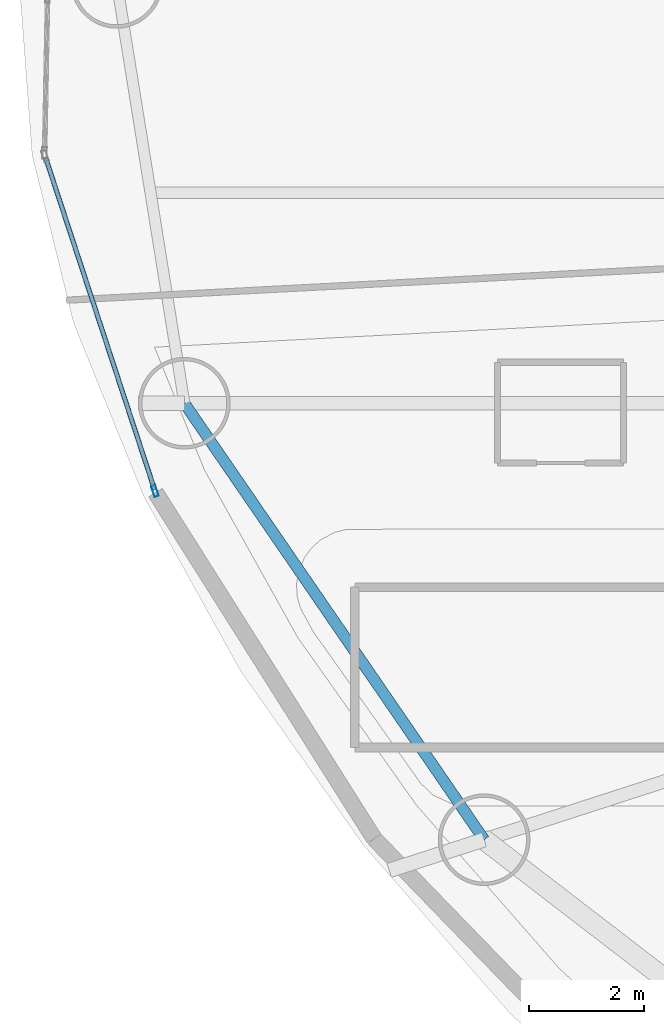
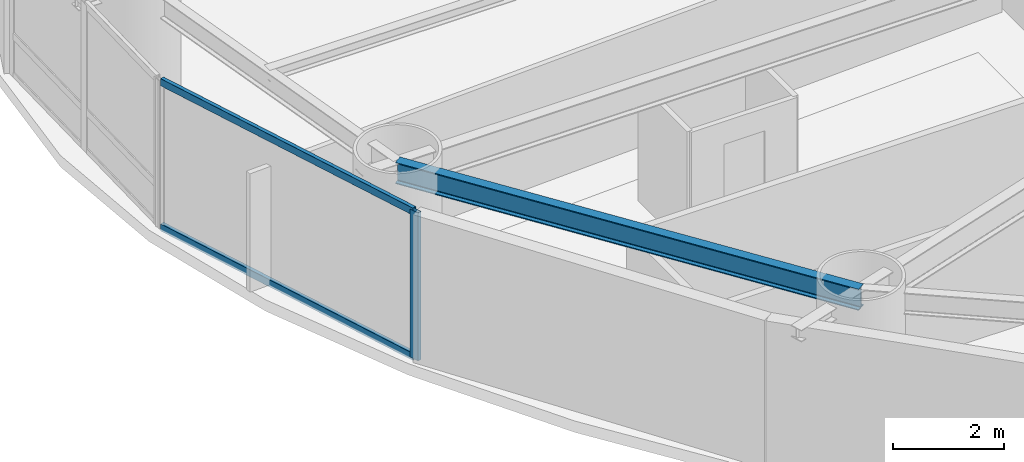
# One storey, part 4 of 24: 3 members, 1 beam, 1 element without a shape of its own.
"""IFC4 building model written with IfcOpenShell, lengths in metres."""

from ifc_helpers import new_model, si_unit, direction, frame, origin, origin_2d, place, context, subcontext, project, spatial, hollow_rectangle, i_section, extrude, material, layer, layer_set, material_profile, profile_set, type_object, element, aggregate, save


model = new_model("IFC4")

# Units and contexts
model_context = context("Model", 3, precision=1e-05, world=origin(), true_north=direction((0.0, 1.0)))
body_context = subcontext(model_context, "Body", "Model", "MODEL_VIEW")
ifc_project = project(units=[si_unit("LENGTHUNIT", "METRE"), si_unit("AREAUNIT", "SQUARE_METRE"), si_unit("VOLUMEUNIT", "CUBIC_METRE"), si_unit("PLANEANGLEUNIT", "RADIAN"), si_unit("MASSUNIT", "GRAM", prefix="KILO")], contexts=[model_context])

# Site, building, storey
site_placement = place(None, origin())
site = spatial("IfcSite", under=ifc_project, at=site_placement, CompositionType="ELEMENT")
building_placement = place(site_placement, origin())
building = spatial("IfcBuilding", under=site, at=building_placement, Name="Bramvorn Convention Spire", CompositionType="ELEMENT")
storey_placement = place(building_placement, frame((0.0, 0.0, 83.39990234375)))
storey = spatial("IfcBuildingStorey", under=building, at=storey_placement, Name="L19", CompositionType="ELEMENT", Elevation=83.39990234375)

# Beam
ifc_material_1 = material(Name="Steel CSA G40.21 Grade 350 (350W)", Category="steel")
ifc_material_profile_1 = material_profile(ifc_material_1, i_section(OverallWidth=0.194091796875, OverallDepth=0.468994140625, WebThickness=0.0126953125, FlangeThickness=0.0205078125, FilletRadius=0.01806640625, at=origin_2d()))
ifc_profile_set_1 = profile_set([ifc_material_profile_1], Name="Steel CSA G40.21 Grade 350 (350W) - W460X106")
beam_type = type_object("IfcBeamType", Name="BM-W460X106", PredefinedType="SPANDREL", material=ifc_profile_set_1)
beam_placement = place(storey_placement, frame((10.661376953125, 22.659912109375, 3.015625), z_axis=(0.566129730789, -0.824316157743, 0.0), x_axis=(0.824316157743, 0.566129730789, 0.0)))
element("IfcBeam", 1, at=beam_placement, inside=storey, type_object=beam_type, Name="L19 mega-column ring beam 10", PredefinedType="SPANDREL", context=body_context, shape_type="SweptSolid", body=[
    extrude(i_section(OverallWidth=0.194091796875, OverallDepth=0.468994140625, WebThickness=0.0126953125, FlangeThickness=0.0205078125, FilletRadius=0.01806640625, at=origin_2d()), origin(), (0.0, 0.0, 1.0), 9.244140625),
])

# Curtain wall, members
ifc_material_2 = material(Name="Anodised Bronze Unitised Curtain Wall", Category="aluminium")
ifc_layer = layer(ifc_material_2, 0.179931640625)
ifc_layer_set = layer_set([ifc_layer], Name="Anodised Bronze Unitised Curtain Wall - CW-HTL-FRIT")
curtain_wall_type = type_object("IfcCurtainWallType", Name="CW-HTL-FRIT", PredefinedType="USERDEFINED", material=ifc_layer_set)
curtain_wall_placement = place(storey_placement, origin())
curtain_wall = element("IfcCurtainWall", 2, at=curtain_wall_placement, inside=storey, type_object=curtain_wall_type, Name="L19 fritted glass curtain wall 14", ObjectType="UNITISED CURTAIN WALL", PredefinedType="USERDEFINED")
ifc_material_3 = material(Name="Anodised Bronze Aluminium 6063-T6", Category="aluminium")
ifc_material_profile_2 = material_profile(ifc_material_3, hollow_rectangle(XDim=0.080078125, YDim=0.199951171875, WallThickness=0.00390625, InnerFilletRadius=0.0009765625, OuterFilletRadius=0.00390625, at=origin_2d()))
ifc_profile_set_2 = profile_set([ifc_material_profile_2], Name="Anodised Bronze Aluminium 6063-T6 - CWM80X200")
member_type_1 = type_object("IfcMemberType", Name="CW-MUL-180", PredefinedType="MULLION", material=ifc_profile_set_2)
member_1_placement = place(storey_placement, frame((10.14892578125, 21.12744140625, 0.0), z_axis=(0.0, 0.0, 1.0), x_axis=(-0.95012847577, -0.311858749325, 0.0)))
member_1 = element("IfcMember", 3, at=member_1_placement, type_object=member_type_1, Name="CW2 mullion 1", PredefinedType="MULLION", context=body_context, shape_type="SweptSolid", body=[
    extrude(hollow_rectangle(XDim=0.080078125, YDim=0.199951171875, WallThickness=0.00390625, InnerFilletRadius=0.0009765625, OuterFilletRadius=0.00390625, at=origin_2d()), origin(), (0.0, 0.0, 1.0), 3.25),
])
ifc_material_profile_3 = material_profile(ifc_material_3, hollow_rectangle(XDim=0.080078125, YDim=0.159912109375, WallThickness=0.00390625, InnerFilletRadius=0.0009765625, OuterFilletRadius=0.00390625, at=origin_2d()))
ifc_profile_set_3 = profile_set([ifc_material_profile_3], Name="Anodised Bronze Aluminium 6063-T6 - CWT80X160")
member_type_2 = type_object("IfcMemberType", Name="CW-TRN-150", PredefinedType="USERDEFINED", material=ifc_profile_set_3)
member_2_placement = place(storey_placement, frame((10.1396484375, 21.156005859375, 0.030029296875), z_axis=(-0.311860299425, 0.950127966983, 0.0), x_axis=(-0.950127966983, -0.311860299425, 0.0)))
member_2 = element("IfcMember", 4, at=member_2_placement, type_object=member_type_2, Name="CW2 transom 1.1", ObjectType="TRANSOM", PredefinedType="USERDEFINED", context=body_context, shape_type="SweptSolid", body=[
    extrude(hollow_rectangle(XDim=0.080078125, YDim=0.159912109375, WallThickness=0.00390625, InnerFilletRadius=0.0009765625, OuterFilletRadius=0.00390625, at=origin_2d()), origin(), (0.0, 0.0, 1.0), 6.092041015625),
])
member_3_placement = place(storey_placement, frame((10.1396484375, 21.156005859375, 3.22021484375), z_axis=(-0.311860299425, 0.950127966983, 0.0), x_axis=(-0.950127966983, -0.311860299425, 0.0)))
member_3 = element("IfcMember", 5, at=member_3_placement, type_object=member_type_2, Name="CW2 transom 1.2", ObjectType="TRANSOM", PredefinedType="USERDEFINED", context=body_context, shape_type="SweptSolid", body=[
    extrude(hollow_rectangle(XDim=0.080078125, YDim=0.159912109375, WallThickness=0.00390625, InnerFilletRadius=0.0009765625, OuterFilletRadius=0.00390625, at=origin_2d()), origin(), (0.0, 0.0, 1.0), 6.092041015625),
])
aggregate(curtain_wall, [member_1, member_2, member_3])

save(model, "model.ifc")
